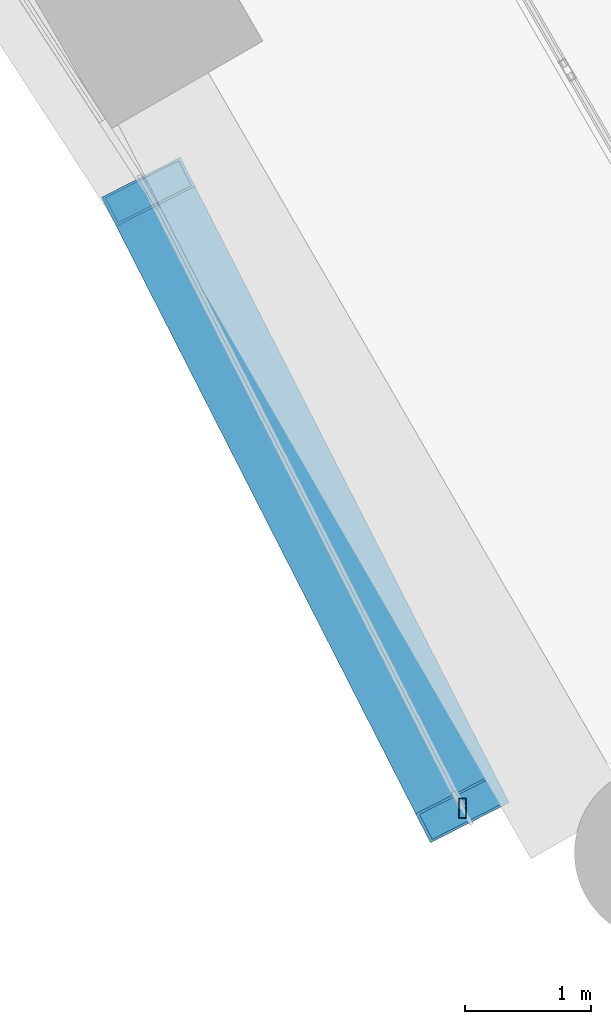
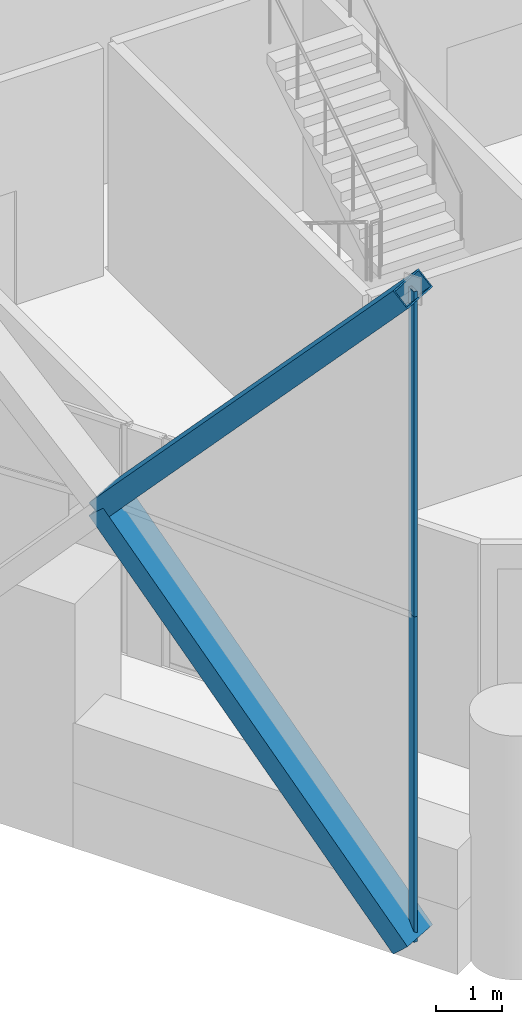
# One storey, part 2 of 46: 4 members, 1 element without a shape of its own.
"""IFC4 building model written with IfcOpenShell, lengths in metres."""

import ifcopenshell
import ifcopenshell.guid

model = None  # the IFC model being written
_history = None  # IfcOwnerHistory: only IFC2X3 demands one
_inside = {}  # id of a spatial element -> (the spatial element, [elements in it])
_under = {}  # id of a project, library or spatial element -> (it, [spatial elements below it])
_declared = {}  # id of a project -> (the project, [libraries it declares])
_typed = {}  # id of a type object -> (the type object, [elements of that type])
_made_of = {}  # id of a material, layer set ... -> (it, [elements and type objects made of it])


def new_model(schema):
    """Start an empty IFC model of exactly this schema.

    Asked for "IFC4X3", IfcOpenShell would pick the latest addendum, in which some entities
    have other attributes; the version numbers below select the first issue.
    IFC2X3 requires an IfcOwnerHistory on every rooted entity: one is made here for all.
    """
    global model, _history
    if schema == "IFC4X3":
        model = ifcopenshell.file(schema_version=(4, 3, 0, 0))
    else:
        model = ifcopenshell.file(schema=schema)
    _inside.clear()
    _under.clear()
    _declared.clear()
    _typed.clear()
    _made_of.clear()
    _history = None
    if model.schema == "IFC2X3":
        org = make("IfcOrganization", Name="unknown")
        user = make(
            "IfcPersonAndOrganization",
            ThePerson=make("IfcPerson", FamilyName="unknown"),
            TheOrganization=org,
        )
        app = make(
            "IfcApplication",
            ApplicationDeveloper=org,
            Version="unknown",
            ApplicationFullName="unknown",
            ApplicationIdentifier="unknown",
        )
        _history = make(
            "IfcOwnerHistory",
            OwningUser=user,
            OwningApplication=app,
            ChangeAction="ADDED",
            CreationDate=0,
        )
    return model


def make(cls, **values):
    """One entity of the class cls with the attributes given. An attribute that is None is left unset."""
    return model.create_entity(
        cls, **{name: value for name, value in values.items() if value is not None}
    )


def rooted(cls, **values):
    """An entity with a GlobalId (a new one), such as an element, a storey or a relation."""
    return make(cls, GlobalId=ifcopenshell.guid.new(), OwnerHistory=_history, **values)


def si_unit(unit_type, name, prefix=None):
    """IfcSIUnit, for example si_unit("LENGTHUNIT", "METRE", prefix="MILLI")."""
    return make("IfcSIUnit", UnitType=unit_type, Prefix=prefix, Name=name)


def assignment(units):
    """IfcUnitAssignment: the units of a project."""
    return None if units is None else make("IfcUnitAssignment", Units=units)


def point(xyz):
    """IfcCartesianPoint."""
    return None if xyz is None else make("IfcCartesianPoint", Coordinates=xyz)


def direction(xyz):
    """IfcDirection."""
    return None if xyz is None else make("IfcDirection", DirectionRatios=xyz)


def frame(location, z_axis=None, x_axis=None):
    """IfcAxis2Placement3D, a coordinate frame: its origin and axes. An axis left out is left unset."""
    return make(
        "IfcAxis2Placement3D",
        Location=point(location),
        Axis=direction(z_axis),
        RefDirection=direction(x_axis),
    )


def frame_2d(location, x_axis=None):
    """IfcAxis2Placement2D, a coordinate frame in the plane: its origin and x axis."""
    return make(
        "IfcAxis2Placement2D", Location=point(location), RefDirection=direction(x_axis)
    )


def origin():
    """The frame at (0, 0, 0) with its axes left unset."""
    return frame((0.0, 0.0, 0.0))


def origin_2d():
    """The frame at (0, 0) in the plane with its x axis left unset."""
    return frame_2d((0.0, 0.0))


def place(relative_to, where):
    """IfcLocalPlacement: puts the frame where relative to a parent placement (None: the world)."""
    return make(
        "IfcLocalPlacement", PlacementRelTo=relative_to, RelativePlacement=where
    )


def context(
    kind, dimensions, precision=None, world=None, true_north=None, identifier=None
):
    """IfcGeometricRepresentationContext, for example the 3D "Model" context."""
    return make(
        "IfcGeometricRepresentationContext",
        ContextIdentifier=identifier,
        ContextType=kind,
        CoordinateSpaceDimension=dimensions,
        Precision=precision,
        WorldCoordinateSystem=world,
        TrueNorth=true_north,
    )


def subcontext(parent, identifier, kind, view, scale=None):
    """IfcGeometricRepresentationSubContext, for example "Body" below "Model"."""
    return make(
        "IfcGeometricRepresentationSubContext",
        ContextIdentifier=identifier,
        ContextType=kind,
        ParentContext=parent,
        TargetScale=scale,
        TargetView=view,
    )


def project(units=None, contexts=None):
    """IfcProject with its units and contexts."""
    return rooted(
        "IfcProject",
        Name="project",
        RepresentationContexts=contexts,
        UnitsInContext=assignment(units),
    )


def spatial(cls, under=None, at=None, **own):
    """A site, building, storey or space (cls), placed at a placement, below another one or the project."""
    s = rooted(cls, ObjectPlacement=at, **own)
    if under is not None:
        _under.setdefault(under.id(), (under, []))[1].append(s)
    return s


def profile(cls, at=None, kind="AREA", **sizes):
    """A parametric profile (cls). Its sizes go by their IFC names, for example OverallWidth=200.0."""
    return make(cls, ProfileType=kind, Position=at, **sizes)


def hollow_rectangle(**sizes):
    """IfcRectangleHollowProfileDef."""
    return profile("IfcRectangleHollowProfileDef", **sizes)


def extrude(swept, where, along, depth):
    """IfcExtrudedAreaSolid: the profile swept, set in the frame where, extruded along a direction by depth."""
    return make(
        "IfcExtrudedAreaSolid",
        SweptArea=swept,
        Position=where,
        ExtrudedDirection=direction(along),
        Depth=depth,
    )


def shape(context_of_items, identifier, shape_type, items):
    """IfcShapeRepresentation: the items that make up one representation, for example the "Body"."""
    return make(
        "IfcShapeRepresentation",
        ContextOfItems=context_of_items,
        RepresentationIdentifier=identifier,
        RepresentationType=shape_type,
        Items=items,
    )


def material(Name=None, Category=None):
    """IfcMaterial."""
    return make("IfcMaterial", Name=Name, Category=Category)


def material_profile(
    of_material, cross_section, Name=None, Category=None, Priority=None
):
    """IfcMaterialProfile: a cross section and its material."""
    return make(
        "IfcMaterialProfile",
        Name=Name,
        Material=of_material,
        Profile=cross_section,
        Priority=Priority,
        Category=Category,
    )


def profile_set(profiles, Name=None, composite=None):
    """IfcMaterialProfileSet."""
    return make(
        "IfcMaterialProfileSet",
        Name=Name,
        MaterialProfiles=profiles,
        CompositeProfile=composite,
    )


def made_of(thing, what):
    """Note that an element or type object is made of a material, layer set ...; save() writes the relation."""
    if what is not None:
        _made_of.setdefault(what.id(), (what, []))[1].append(thing)
    return thing


def type_object(cls, material=None, **own):
    """A type object (cls), such as IfcWallType, which elements share."""
    return made_of(rooted(cls, **own), material)


def element(
    cls,
    number,
    at=None,
    inside=None,
    cuts=None,
    type_object=None,
    material=None,
    context=None,
    identifier="Body",
    shape_type=None,
    held_by="IfcProductDefinitionShape",
    body=None,
    shapes=None,
    **own,
):
    """One element of the class cls, such as IfcWall. Its Tag is "e" and its number.

    at: its placement. inside: the storey or other place that contains it. cuts: it is an
    opening in that element (IfcRelVoidsElement). A single representation is given by context,
    identifier, shape_type and body (its items); several are given by shapes. held_by: the class
    of the entity that holds the representations. save() writes the other relations.
    """
    e = rooted(cls, Tag="e%d" % number, ObjectPlacement=at, **own)
    if body is not None:
        shapes = [shape(context, identifier, shape_type, body)]
    if shapes is not None:
        e.Representation = make(held_by, Representations=shapes)
    if inside is not None:
        _inside.setdefault(inside.id(), (inside, []))[1].append(e)
    if cuts is not None:
        rooted(
            "IfcRelVoidsElement", RelatingBuildingElement=cuts, RelatedOpeningElement=e
        )
    if type_object is not None:
        _typed.setdefault(type_object.id(), (type_object, []))[1].append(e)
    return made_of(e, material)


def aggregate(whole, parts):
    """IfcRelAggregates: a whole, such as a stair, and the parts it consists of."""
    return rooted("IfcRelAggregates", RelatingObject=whole, RelatedObjects=parts)


def save(model, path):
    """Write the relations noted so far, then the file.

    IfcRelAggregates (storeys below a building ...), IfcRelContainedInSpatialStructure (elements
    in a storey), IfcRelDefinesByType, IfcRelAssociatesMaterial and IfcRelDeclares: one each for
    every whole, place, type object, material and project.
    """
    for whole, parts in _under.values():
        aggregate(whole, parts)
    for where, things in _inside.values():
        rooted(
            "IfcRelContainedInSpatialStructure",
            RelatedElements=things,
            RelatingStructure=where,
        )
    for kind, things in _typed.values():
        rooted("IfcRelDefinesByType", RelatedObjects=things, RelatingType=kind)
    for what, things in _made_of.values():
        rooted("IfcRelAssociatesMaterial", RelatedObjects=things, RelatingMaterial=what)
    for by, libraries in _declared.values():
        rooted("IfcRelDeclares", RelatingContext=by, RelatedDefinitions=libraries)
    model.write(path)


model = new_model("IFC4")

# Units and contexts
model_context = context("Model", 3, precision=1e-05, world=origin(), true_north=direction((0.0, 1.0)))
body_context = subcontext(model_context, "Body", "Model", "MODEL_VIEW")
ifc_project = project(units=[si_unit("LENGTHUNIT", "METRE"), si_unit("AREAUNIT", "SQUARE_METRE"), si_unit("VOLUMEUNIT", "CUBIC_METRE"), si_unit("PLANEANGLEUNIT", "RADIAN"), si_unit("MASSUNIT", "GRAM", prefix="KILO")], contexts=[model_context])

# Site, building, storey
site_placement = place(None, origin())
site = spatial("IfcSite", under=ifc_project, at=site_placement, CompositionType="ELEMENT")
building_placement = place(site_placement, origin())
building = spatial("IfcBuilding", under=site, at=building_placement, Name="Ostrander Bayou Hotel Tower", CompositionType="ELEMENT")
storey_placement = place(building_placement, frame((0.0, 0.0, 23.5)))
storey = spatial("IfcBuildingStorey", under=building, at=storey_placement, Name="L05", CompositionType="ELEMENT", Elevation=23.5)

# Curtain wall, members
ifc_material_1 = material(Name="Aluminium and clear glass", Category="aluminium")
curtain_wall_type = type_object("IfcCurtainWallType", Name="CW-LAT lattice glazing", PredefinedType="NOTDEFINED", material=ifc_material_1)
curtain_wall_placement = place(storey_placement, origin())
curtain_wall = element("IfcCurtainWall", 1, at=curtain_wall_placement, inside=storey, type_object=curtain_wall_type, Name="CW-LAT L05 SW 1", PredefinedType="NOTDEFINED")
ifc_material_2 = material(Name="Aluminium", Category="aluminium")
ifc_material_profile_1 = material_profile(ifc_material_2, hollow_rectangle(XDim=0.06005859375, YDim=0.159912109375, WallThickness=0.00390625, at=origin_2d()))
ifc_profile_set_1 = profile_set([ifc_material_profile_1], Name="Aluminium")
member_type_1 = type_object("IfcMemberType", Name="CW-LA mullion 60 x 160 mm", PredefinedType="MULLION", material=ifc_profile_set_1)
member_1_placement = place(storey_placement, frame((-13.637939453125, -20.5185546875, -0.60009765625), z_axis=(0.0, 0.0, 1.0), x_axis=(1.0, 0.0, 0.0)))
member_1 = element("IfcMember", 2, at=member_1_placement, type_object=member_type_1, Name="CW-LAT mullion 8", PredefinedType="MULLION", context=body_context, shape_type="SweptSolid", body=[
    extrude(hollow_rectangle(XDim=0.06005859375, YDim=0.159912109375, WallThickness=0.00390625, at=origin_2d()), origin(), (0.0, 0.0, 1.0), 6.0),
])
member_2_placement = place(storey_placement, frame((-13.637939453125, -20.5185546875, 5.39990234375), z_axis=(0.0, 0.0, 1.0), x_axis=(1.0, 0.0, 0.0)))
member_2 = element("IfcMember", 3, at=member_2_placement, type_object=member_type_1, Name="CW-LAT mullion 9", PredefinedType="MULLION", context=body_context, shape_type="SweptSolid", body=[
    extrude(hollow_rectangle(XDim=0.06005859375, YDim=0.159912109375, WallThickness=0.00390625, at=origin_2d()), origin(), (0.0, 0.0, 1.0), 6.0),
])
aggregate(curtain_wall, [member_1, member_2])

# Members
ifc_material_3 = material(Name="Steel ASTM A572 Gr 50", Category="steel")
ifc_material_profile_2 = material_profile(ifc_material_3, hollow_rectangle(XDim=0.699951171875, YDim=0.35009765625, WallThickness=0.02490234375, at=origin_2d()))
ifc_profile_set_2 = profile_set([ifc_material_profile_2], Name="Steel ASTM A572 Gr 50")
member_type_2 = type_object("IfcMemberType", Name="LT1 lattice member box 700 x 350 x 25 mm", PredefinedType="BRACE", material=ifc_profile_set_2)
for number, where, z_axis, x_axis, name in (
    (4, (-16.126953125, -15.63330078125, 5.39990234375), (0.306235162835, -0.60105596943, -0.738208471), (0.891017407703, 0.453969139007, 0.0), "LT1 L05 SW 7"),
    (5, (-16.126953125, -15.63330078125, 5.39990234375), (0.306235162835, -0.60105596943, 0.738208471), (0.891017407703, 0.453969139007, 0.0), "LT1 L05 SW 8"),
):
    element("IfcMember", number, at=place(storey_placement, frame(where, z_axis=z_axis, x_axis=x_axis)), inside=storey, type_object=member_type_2, Name=name, PredefinedType="BRACE", context=body_context, shape_type="SweptSolid", body=[
        extrude(hollow_rectangle(XDim=0.699951171875, YDim=0.35009765625, WallThickness=0.02490234375, at=origin_2d()), origin(), (0.0, 0.0, 1.0), 8.127685546875),
    ])

save(model, "model.ifc")
